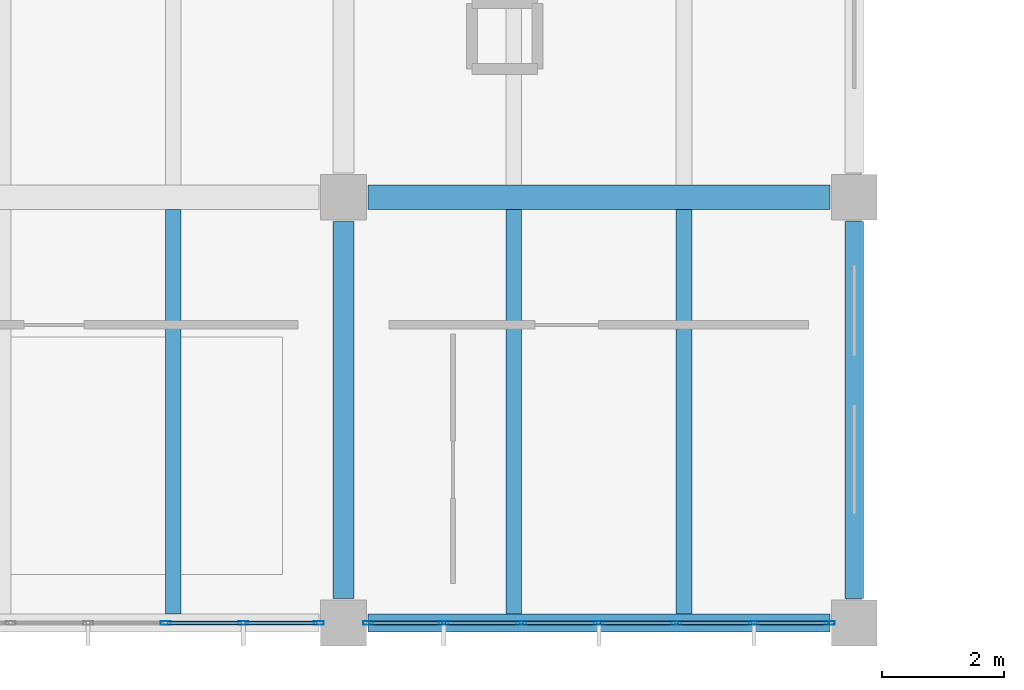
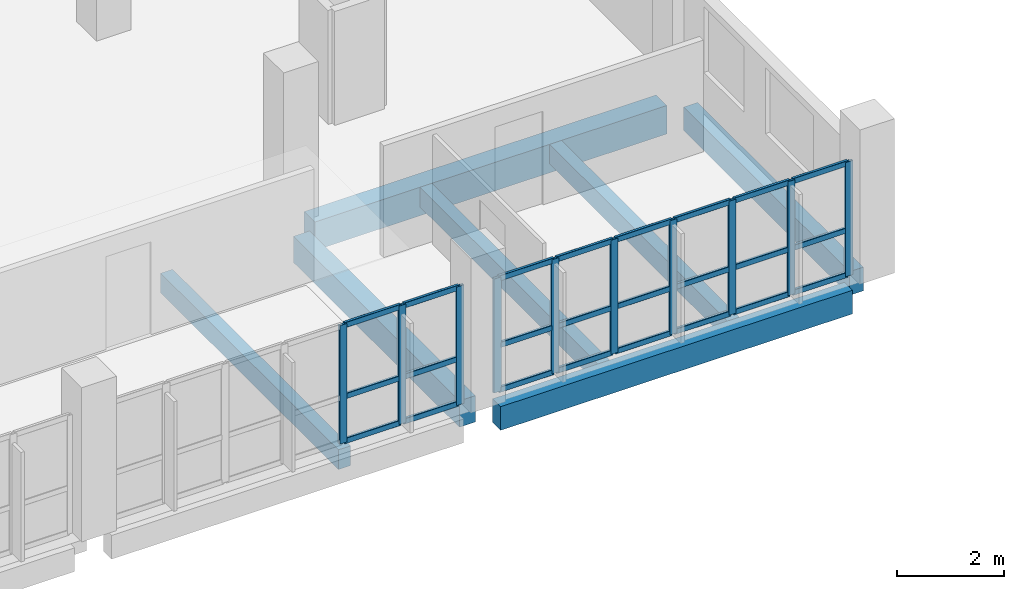
# One storey, part 18 of 95: 34 members, 7 beams, 2 elements without a shape of their own.
"""IFC4 building model written with IfcOpenShell, lengths in metres."""

from ifc_helpers import new_model, si_unit, direction, frame, origin, origin_2d, place, context, subcontext, project, spatial, rectangle, hollow_rectangle, extrude, material, layer, layer_set, material_profile, profile_set, type_object, element, aggregate, save


model = new_model("IFC4")

# Units and contexts
model_context = context("Model", 3, precision=1e-05, world=origin(), true_north=direction((0.0, 1.0)))
body_context = subcontext(model_context, "Body", "Model", "MODEL_VIEW")
ifc_project = project(units=[si_unit("LENGTHUNIT", "METRE"), si_unit("AREAUNIT", "SQUARE_METRE"), si_unit("VOLUMEUNIT", "CUBIC_METRE"), si_unit("PLANEANGLEUNIT", "RADIAN"), si_unit("MASSUNIT", "GRAM", prefix="KILO"), si_unit("THERMODYNAMICTEMPERATUREUNIT", "KELVIN"), si_unit("POWERUNIT", "WATT")], contexts=[model_context])

# Site, building, storey
site_placement = place(None, origin())
site = spatial("IfcSite", under=ifc_project, at=site_placement, CompositionType="ELEMENT")
building_placement = place(site_placement, origin())
building = spatial("IfcBuilding", under=site, at=building_placement, Name="Mavoryth Pier Ferry Terminal", CompositionType="ELEMENT")
storey_placement = place(building_placement, frame((0.0, 0.0, 9.60009765625)))
storey = spatial("IfcBuildingStorey", under=building, at=storey_placement, Name="L02", CompositionType="ELEMENT", Elevation=9.60009765625)

# Beams
ifc_material_1 = material(Name="Concrete C35/45", Category="concrete")
ifc_material_profile_1 = material_profile(ifc_material_1, rectangle(XDim=0.35009765625, YDim=0.60009765625, at=origin_2d()), Name="RC 350x600", Category="concrete")
ifc_profile_set_1 = profile_set([ifc_material_profile_1], Name="Concrete C35/45 - RC 350x600")
beam_type_1 = type_object("IfcBeamType", Name="Girder-RC-350x600", PredefinedType="BEAM", material=ifc_profile_set_1)
beam_1_placement = place(storey_placement, frame((84.0, 0.39990234375, -0.56005859375), z_axis=(0.0, 1.0, 0.0), x_axis=(-1.0, 0.0, 0.0)))
element("IfcBeam", 1, at=beam_1_placement, inside=storey, type_object=beam_type_1, Name="Beam B02-BG08-0990", PredefinedType="BEAM", context=body_context, shape_type="SweptSolid", body=[
    extrude(rectangle(XDim=0.35009765625, YDim=0.60009765625, at=origin_2d()), origin(), (0.0, 0.0, 1.0), 6.2001953125),
])
ifc_material_profile_2 = material_profile(ifc_material_1, rectangle(XDim=0.39990234375, YDim=0.64990234375, at=origin_2d()), Name="RC 400x650", Category="concrete")
ifc_profile_set_2 = profile_set([ifc_material_profile_2], Name="Concrete C35/45 - RC 400x650")
beam_type_2 = type_object("IfcBeamType", Name="Girder-RC-400x650", PredefinedType="BEAM", material=ifc_profile_set_2)
beam_2_placement = place(storey_placement, frame((84.39990234375, 7.0, -0.585205078125), z_axis=(1.0, 0.0, 0.0), x_axis=(0.0, 1.0, 0.0)))
element("IfcBeam", 2, at=beam_2_placement, inside=storey, type_object=beam_type_2, Name="Beam B02-BG05-0962", PredefinedType="BEAM", context=body_context, shape_type="SweptSolid", body=[
    extrude(rectangle(XDim=0.39990234375, YDim=0.64990234375, at=origin_2d()), origin(), (0.0, 0.0, 1.0), 7.60009765625),
])
ifc_material_profile_3 = material_profile(ifc_material_1, rectangle(XDim=0.260009765625, YDim=0.449951171875, at=origin_2d()), Name="RC 260x450", Category="concrete")
ifc_profile_set_3 = profile_set([ifc_material_profile_3], Name="Concrete C35/45 - RC 260x450")
beam_type_3 = type_object("IfcBeamType", Name="Joist-RC-260x450", PredefinedType="JOIST", material=ifc_profile_set_3)
for number, where, z_axis, x_axis, name in (
    (3, (81.199951171875, 0.14990234375, -0.485107421875), (0.0, 1.0, 0.0), (-1.0, 0.0, 0.0), "Beam B02-BJ03-1017"),
    (4, (86.800048828125, 0.14990234375, -0.485107421875), (0.0, 1.0, 0.0), (-1.0, 0.0, 0.0), "Beam B02-BJ03-1022"),
    (5, (89.60009765625, 0.14990234375, -0.485107421875), (0.0, 1.0, 0.0), (-1.0, 0.0, 0.0), "Beam B02-BJ03-1023"),
):
    element("IfcBeam", number, at=place(storey_placement, frame(where, z_axis=z_axis, x_axis=x_axis)), inside=storey, type_object=beam_type_3, Name=name, PredefinedType="JOIST", context=body_context, shape_type="SweptSolid", body=[
        extrude(rectangle(XDim=0.260009765625, YDim=0.449951171875, at=origin_2d()), origin(), (0.0, 0.0, 1.0), 6.650146484375),
    ])

# Curtain wall, members
ifc_material_2 = material(Name="Anodised Aluminium and Solar-Control Low-E Glass", Category="aluminium")
ifc_layer = layer(ifc_material_2, 0.239990234375, Name="Anodised Aluminium and Solar-Control Low-E Glass", Category="aluminium")
ifc_layer_set = layer_set([ifc_layer], Name="Anodised Aluminium and Solar-Control Low-E Glass - CW-Operations-Mod1200")
curtain_wall_type = type_object("IfcCurtainWallType", Name="CW-Operations-Mod1200", PredefinedType="USERDEFINED", material=ifc_layer_set)
curtain_wall_1_placement = place(storey_placement, origin())
curtain_wall_1 = element("IfcCurtainWall", 6, at=curtain_wall_1_placement, inside=storey, type_object=curtain_wall_type, Name="Curtain Wall CW-0222-129", ObjectType="UNITISED CURTAIN WALL", PredefinedType="USERDEFINED")
ifc_material_3 = material(Name="Anodised Aluminium EN AW-6063", Category="aluminium")
ifc_material_profile_4 = material_profile(ifc_material_3, hollow_rectangle(XDim=0.06005859375, YDim=0.1650390625, WallThickness=0.00390625, InnerFilletRadius=0.00390625, OuterFilletRadius=0.008056640625, at=origin_2d()), Name="AL-MULL 165x60x4", Category="aluminium")
ifc_profile_set_4 = profile_set([ifc_material_profile_4], Name="Anodised Aluminium EN AW-6063 - AL-MULL 165x60x4")
member_type_1 = type_object("IfcMemberType", Name="Mullion-Alum-165x60", PredefinedType="MULLION", material=ifc_profile_set_4)
member_1_placement = place(storey_placement, frame((81.074951171875, 0.0, 0.0), z_axis=(0.0, 0.0, 1.0), x_axis=(0.0, 1.0, 0.0)))
member_1 = element("IfcMember", 7, at=member_1_placement, type_object=member_type_1, Name="CW06 mullion 5", PredefinedType="MULLION", context=body_context, shape_type="SweptSolid", body=[
    extrude(hollow_rectangle(XDim=0.06005859375, YDim=0.1650390625, WallThickness=0.00390625, InnerFilletRadius=0.00390625, OuterFilletRadius=0.008056640625, at=origin_2d()), origin(), (0.0, 0.0, 1.0), 2.704833984375),
])
member_2_placement = place(storey_placement, frame((82.35009765625, 0.0, 0.0), z_axis=(0.0, 0.0, 1.0), x_axis=(0.0, 1.0, 0.0)))
member_2 = element("IfcMember", 8, at=member_2_placement, type_object=member_type_1, Name="CW06 mullion 6", PredefinedType="MULLION", context=body_context, shape_type="SweptSolid", body=[
    extrude(hollow_rectangle(XDim=0.06005859375, YDim=0.1650390625, WallThickness=0.00390625, InnerFilletRadius=0.00390625, OuterFilletRadius=0.008056640625, at=origin_2d()), origin(), (0.0, 0.0, 1.0), 2.704833984375),
])
member_3_placement = place(storey_placement, frame((83.594970703125, 0.0, 0.0), z_axis=(0.0, 0.0, 1.0), x_axis=(0.0, 1.0, 0.0)))
member_3 = element("IfcMember", 9, at=member_3_placement, type_object=member_type_1, Name="CW06 mullion 7", PredefinedType="MULLION", context=body_context, shape_type="SweptSolid", body=[
    extrude(hollow_rectangle(XDim=0.06005859375, YDim=0.1650390625, WallThickness=0.00390625, InnerFilletRadius=0.00390625, OuterFilletRadius=0.008056640625, at=origin_2d()), origin(), (0.0, 0.0, 1.0), 2.704833984375),
])

curtain_wall_2_placement = place(storey_placement, origin())
curtain_wall_2 = element("IfcCurtainWall", 10, at=curtain_wall_2_placement, inside=storey, type_object=curtain_wall_type, Name="Curtain Wall CW-0222-131", ObjectType="UNITISED CURTAIN WALL", PredefinedType="USERDEFINED")
member_4_placement = place(storey_placement, frame((84.405029296875, 0.0, 0.0), z_axis=(0.0, 0.0, 1.0), x_axis=(0.0, 1.0, 0.0)))
member_4 = element("IfcMember", 11, at=member_4_placement, type_object=member_type_1, Name="CW06 mullion 1", PredefinedType="MULLION", context=body_context, shape_type="SweptSolid", body=[
    extrude(hollow_rectangle(XDim=0.06005859375, YDim=0.1650390625, WallThickness=0.00390625, InnerFilletRadius=0.00390625, OuterFilletRadius=0.008056640625, at=origin_2d()), origin(), (0.0, 0.0, 1.0), 2.60498046875),
])
member_5_placement = place(storey_placement, frame((85.64990234375, 0.0, 0.0), z_axis=(0.0, 0.0, 1.0), x_axis=(0.0, 1.0, 0.0)))
member_5 = element("IfcMember", 12, at=member_5_placement, type_object=member_type_1, Name="CW06 mullion 2", PredefinedType="MULLION", context=body_context, shape_type="SweptSolid", body=[
    extrude(hollow_rectangle(XDim=0.06005859375, YDim=0.1650390625, WallThickness=0.00390625, InnerFilletRadius=0.00390625, OuterFilletRadius=0.008056640625, at=origin_2d()), origin(), (0.0, 0.0, 1.0), 2.60498046875),
])
member_6_placement = place(storey_placement, frame((86.925048828125, 0.0, 0.0), z_axis=(0.0, 0.0, 1.0), x_axis=(0.0, 1.0, 0.0)))
member_6 = element("IfcMember", 13, at=member_6_placement, type_object=member_type_1, Name="CW06 mullion 3", PredefinedType="MULLION", context=body_context, shape_type="SweptSolid", body=[
    extrude(hollow_rectangle(XDim=0.06005859375, YDim=0.1650390625, WallThickness=0.00390625, InnerFilletRadius=0.00390625, OuterFilletRadius=0.008056640625, at=origin_2d()), origin(), (0.0, 0.0, 1.0), 2.60498046875),
])
member_7_placement = place(storey_placement, frame((88.199951171875, 0.0, 0.0), z_axis=(0.0, 0.0, 1.0), x_axis=(0.0, 1.0, 0.0)))
member_7 = element("IfcMember", 14, at=member_7_placement, type_object=member_type_1, Name="CW06 mullion 4", PredefinedType="MULLION", context=body_context, shape_type="SweptSolid", body=[
    extrude(hollow_rectangle(XDim=0.06005859375, YDim=0.1650390625, WallThickness=0.00390625, InnerFilletRadius=0.00390625, OuterFilletRadius=0.008056640625, at=origin_2d()), origin(), (0.0, 0.0, 1.0), 2.60498046875),
])
member_8_placement = place(storey_placement, frame((89.47509765625, 0.0, 0.0), z_axis=(0.0, 0.0, 1.0), x_axis=(0.0, 1.0, 0.0)))
member_8 = element("IfcMember", 15, at=member_8_placement, type_object=member_type_1, Name="CW06 mullion 5", PredefinedType="MULLION", context=body_context, shape_type="SweptSolid", body=[
    extrude(hollow_rectangle(XDim=0.06005859375, YDim=0.1650390625, WallThickness=0.00390625, InnerFilletRadius=0.00390625, OuterFilletRadius=0.008056640625, at=origin_2d()), origin(), (0.0, 0.0, 1.0), 2.60498046875),
])
member_9_placement = place(storey_placement, frame((90.75, 0.0, 0.0), z_axis=(0.0, 0.0, 1.0), x_axis=(0.0, 1.0, 0.0)))
member_9 = element("IfcMember", 16, at=member_9_placement, type_object=member_type_1, Name="CW06 mullion 6", PredefinedType="MULLION", context=body_context, shape_type="SweptSolid", body=[
    extrude(hollow_rectangle(XDim=0.06005859375, YDim=0.1650390625, WallThickness=0.00390625, InnerFilletRadius=0.00390625, OuterFilletRadius=0.008056640625, at=origin_2d()), origin(), (0.0, 0.0, 1.0), 2.60498046875),
])
member_10_placement = place(storey_placement, frame((91.9951171875, 0.0, 0.0), z_axis=(0.0, 0.0, 1.0), x_axis=(0.0, 1.0, 0.0)))
member_10 = element("IfcMember", 17, at=member_10_placement, type_object=member_type_1, Name="CW06 mullion 7", PredefinedType="MULLION", context=body_context, shape_type="SweptSolid", body=[
    extrude(hollow_rectangle(XDim=0.06005859375, YDim=0.1650390625, WallThickness=0.00390625, InnerFilletRadius=0.00390625, OuterFilletRadius=0.008056640625, at=origin_2d()), origin(), (0.0, 0.0, 1.0), 2.60498046875),
])

# Beams
ifc_material_profile_5 = material_profile(ifc_material_1, rectangle(XDim=0.300048828125, YDim=0.5400390625, at=origin_2d()), Name="RC 300x540", Category="concrete")
ifc_profile_set_5 = profile_set([ifc_material_profile_5], Name="Concrete C35/45 - RC 300x540")
beam_type_4 = type_object("IfcBeamType", Name="Spandrel-RC-300x540", PredefinedType="SPANDREL", material=ifc_profile_set_5)
beam_3_placement = place(storey_placement, frame((84.39990234375, 0.0, -0.530029296875), z_axis=(1.0, 0.0, 0.0), x_axis=(0.0, 1.0, 0.0)))
element("IfcBeam", 18, at=beam_3_placement, inside=storey, type_object=beam_type_4, Name="Beam B02-SP02-0956", PredefinedType="SPANDREL", context=body_context, shape_type="SweptSolid", body=[
    extrude(rectangle(XDim=0.300048828125, YDim=0.5400390625, at=origin_2d()), origin(), (0.0, 0.0, 1.0), 7.60009765625),
])
beam_4_placement = place(storey_placement, frame((92.39990234375, 0.39990234375, -0.530029296875), z_axis=(0.0, 1.0, 0.0), x_axis=(-1.0, 0.0, 0.0)))
element("IfcBeam", 19, at=beam_4_placement, inside=storey, type_object=beam_type_4, Name="Beam B02-SP02-0993", PredefinedType="SPANDREL", context=body_context, shape_type="SweptSolid", body=[
    extrude(rectangle(XDim=0.300048828125, YDim=0.5400390625, at=origin_2d()), origin(), (0.0, 0.0, 1.0), 6.2001953125),
])

# Member
ifc_material_profile_6 = material_profile(ifc_material_3, hollow_rectangle(XDim=0.06005859375, YDim=0.125, WallThickness=0.00390625, InnerFilletRadius=0.00390625, OuterFilletRadius=0.008056640625, at=origin_2d()), Name="AL-TRAN 125x60x4", Category="aluminium")
ifc_profile_set_6 = profile_set([ifc_material_profile_6], Name="Anodised Aluminium EN AW-6063 - AL-TRAN 125x60x4")
member_type_2 = type_object("IfcMemberType", Name="Transom-Alum-125x60", PredefinedType="USERDEFINED", material=ifc_profile_set_6)
member_11_placement = place(storey_placement, frame((81.10498046875, 0.0, 0.02978515625), z_axis=(1.0, 0.0, 0.0), x_axis=(0.0, 1.0, 0.0)))
member_11 = element("IfcMember", 20, at=member_11_placement, type_object=member_type_2, Name="CW06 transom 5.1", ObjectType="TRANSOM", PredefinedType="USERDEFINED", context=body_context, shape_type="SweptSolid", body=[
    extrude(hollow_rectangle(XDim=0.06005859375, YDim=0.125, WallThickness=0.00390625, InnerFilletRadius=0.00390625, OuterFilletRadius=0.008056640625, at=origin_2d()), origin(), (0.0, 0.0, 1.0), 1.215087890625),
])

member_12_placement = place(storey_placement, frame((81.10498046875, 0.0, 1.0498046875), z_axis=(1.0, 0.0, 0.0), x_axis=(0.0, 1.0, 0.0)))
member_12 = element("IfcMember", 21, at=member_12_placement, type_object=member_type_2, Name="CW06 transom 5.2", ObjectType="TRANSOM", PredefinedType="USERDEFINED", context=body_context, shape_type="SweptSolid", body=[
    extrude(hollow_rectangle(XDim=0.06005859375, YDim=0.125, WallThickness=0.00390625, InnerFilletRadius=0.00390625, OuterFilletRadius=0.008056640625, at=origin_2d()), origin(), (0.0, 0.0, 1.0), 1.215087890625),
])

member_13_placement = place(storey_placement, frame((81.10498046875, 0.0, 2.6748046875), z_axis=(1.0, 0.0, 0.0), x_axis=(0.0, 1.0, 0.0)))
member_13 = element("IfcMember", 22, at=member_13_placement, type_object=member_type_2, Name="CW06 transom 5.3", ObjectType="TRANSOM", PredefinedType="USERDEFINED", context=body_context, shape_type="SweptSolid", body=[
    extrude(hollow_rectangle(XDim=0.06005859375, YDim=0.125, WallThickness=0.00390625, InnerFilletRadius=0.00390625, OuterFilletRadius=0.008056640625, at=origin_2d()), origin(), (0.0, 0.0, 1.0), 1.215087890625),
])

member_14_placement = place(storey_placement, frame((82.3798828125, 0.0, 0.02978515625), z_axis=(1.0, 0.0, 0.0), x_axis=(0.0, 1.0, 0.0)))
member_14 = element("IfcMember", 23, at=member_14_placement, type_object=member_type_2, Name="CW06 transom 6.1", ObjectType="TRANSOM", PredefinedType="USERDEFINED", context=body_context, shape_type="SweptSolid", body=[
    extrude(hollow_rectangle(XDim=0.06005859375, YDim=0.125, WallThickness=0.00390625, InnerFilletRadius=0.00390625, OuterFilletRadius=0.008056640625, at=origin_2d()), origin(), (0.0, 0.0, 1.0), 1.18505859375),
])

member_15_placement = place(storey_placement, frame((82.3798828125, 0.0, 1.0498046875), z_axis=(1.0, 0.0, 0.0), x_axis=(0.0, 1.0, 0.0)))
member_15 = element("IfcMember", 24, at=member_15_placement, type_object=member_type_2, Name="CW06 transom 6.2", ObjectType="TRANSOM", PredefinedType="USERDEFINED", context=body_context, shape_type="SweptSolid", body=[
    extrude(hollow_rectangle(XDim=0.06005859375, YDim=0.125, WallThickness=0.00390625, InnerFilletRadius=0.00390625, OuterFilletRadius=0.008056640625, at=origin_2d()), origin(), (0.0, 0.0, 1.0), 1.18505859375),
])

member_16_placement = place(storey_placement, frame((82.3798828125, 0.0, 2.6748046875), z_axis=(1.0, 0.0, 0.0), x_axis=(0.0, 1.0, 0.0)))
member_16 = element("IfcMember", 25, at=member_16_placement, type_object=member_type_2, Name="CW06 transom 6.3", ObjectType="TRANSOM", PredefinedType="USERDEFINED", context=body_context, shape_type="SweptSolid", body=[
    extrude(hollow_rectangle(XDim=0.06005859375, YDim=0.125, WallThickness=0.00390625, InnerFilletRadius=0.00390625, OuterFilletRadius=0.008056640625, at=origin_2d()), origin(), (0.0, 0.0, 1.0), 1.18505859375),
])

aggregate(curtain_wall_1, [member_1, member_2, member_3, member_11, member_12, member_13, member_14, member_15, member_16])

member_17_placement = place(storey_placement, frame((84.43505859375, 0.0, 0.02978515625), z_axis=(1.0, 0.0, 0.0), x_axis=(0.0, 1.0, 0.0)))
member_17 = element("IfcMember", 26, at=member_17_placement, type_object=member_type_2, Name="CW06 transom 1.1", ObjectType="TRANSOM", PredefinedType="USERDEFINED", context=body_context, shape_type="SweptSolid", body=[
    extrude(hollow_rectangle(XDim=0.06005859375, YDim=0.125, WallThickness=0.00390625, InnerFilletRadius=0.00390625, OuterFilletRadius=0.008056640625, at=origin_2d()), origin(), (0.0, 0.0, 1.0), 1.18505859375),
])

member_18_placement = place(storey_placement, frame((84.43505859375, 0.0, 1.0498046875), z_axis=(1.0, 0.0, 0.0), x_axis=(0.0, 1.0, 0.0)))
member_18 = element("IfcMember", 27, at=member_18_placement, type_object=member_type_2, Name="CW06 transom 1.2", ObjectType="TRANSOM", PredefinedType="USERDEFINED", context=body_context, shape_type="SweptSolid", body=[
    extrude(hollow_rectangle(XDim=0.06005859375, YDim=0.125, WallThickness=0.00390625, InnerFilletRadius=0.00390625, OuterFilletRadius=0.008056640625, at=origin_2d()), origin(), (0.0, 0.0, 1.0), 1.18505859375),
])

member_19_placement = place(storey_placement, frame((84.43505859375, 0.0, 2.574951171875), z_axis=(1.0, 0.0, 0.0), x_axis=(0.0, 1.0, 0.0)))
member_19 = element("IfcMember", 28, at=member_19_placement, type_object=member_type_2, Name="CW06 transom 1.3", ObjectType="TRANSOM", PredefinedType="USERDEFINED", context=body_context, shape_type="SweptSolid", body=[
    extrude(hollow_rectangle(XDim=0.06005859375, YDim=0.125, WallThickness=0.00390625, InnerFilletRadius=0.00390625, OuterFilletRadius=0.008056640625, at=origin_2d()), origin(), (0.0, 0.0, 1.0), 1.18505859375),
])

member_20_placement = place(storey_placement, frame((85.679931640625, 0.0, 0.02978515625), z_axis=(1.0, 0.0, 0.0), x_axis=(0.0, 1.0, 0.0)))
member_20 = element("IfcMember", 29, at=member_20_placement, type_object=member_type_2, Name="CW06 transom 2.1", ObjectType="TRANSOM", PredefinedType="USERDEFINED", context=body_context, shape_type="SweptSolid", body=[
    extrude(hollow_rectangle(XDim=0.06005859375, YDim=0.125, WallThickness=0.00390625, InnerFilletRadius=0.00390625, OuterFilletRadius=0.008056640625, at=origin_2d()), origin(), (0.0, 0.0, 1.0), 1.215087890625),
])

member_21_placement = place(storey_placement, frame((85.679931640625, 0.0, 1.0498046875), z_axis=(1.0, 0.0, 0.0), x_axis=(0.0, 1.0, 0.0)))
member_21 = element("IfcMember", 30, at=member_21_placement, type_object=member_type_2, Name="CW06 transom 2.2", ObjectType="TRANSOM", PredefinedType="USERDEFINED", context=body_context, shape_type="SweptSolid", body=[
    extrude(hollow_rectangle(XDim=0.06005859375, YDim=0.125, WallThickness=0.00390625, InnerFilletRadius=0.00390625, OuterFilletRadius=0.008056640625, at=origin_2d()), origin(), (0.0, 0.0, 1.0), 1.215087890625),
])

member_22_placement = place(storey_placement, frame((85.679931640625, 0.0, 2.574951171875), z_axis=(1.0, 0.0, 0.0), x_axis=(0.0, 1.0, 0.0)))
member_22 = element("IfcMember", 31, at=member_22_placement, type_object=member_type_2, Name="CW06 transom 2.3", ObjectType="TRANSOM", PredefinedType="USERDEFINED", context=body_context, shape_type="SweptSolid", body=[
    extrude(hollow_rectangle(XDim=0.06005859375, YDim=0.125, WallThickness=0.00390625, InnerFilletRadius=0.00390625, OuterFilletRadius=0.008056640625, at=origin_2d()), origin(), (0.0, 0.0, 1.0), 1.215087890625),
])

member_23_placement = place(storey_placement, frame((86.955078125, 0.0, 0.02978515625), z_axis=(1.0, 0.0, 0.0), x_axis=(0.0, 1.0, 0.0)))
member_23 = element("IfcMember", 32, at=member_23_placement, type_object=member_type_2, Name="CW06 transom 3.1", ObjectType="TRANSOM", PredefinedType="USERDEFINED", context=body_context, shape_type="SweptSolid", body=[
    extrude(hollow_rectangle(XDim=0.06005859375, YDim=0.125, WallThickness=0.00390625, InnerFilletRadius=0.00390625, OuterFilletRadius=0.008056640625, at=origin_2d()), origin(), (0.0, 0.0, 1.0), 1.21484375),
])

member_24_placement = place(storey_placement, frame((86.955078125, 0.0, 1.0498046875), z_axis=(1.0, 0.0, 0.0), x_axis=(0.0, 1.0, 0.0)))
member_24 = element("IfcMember", 33, at=member_24_placement, type_object=member_type_2, Name="CW06 transom 3.2", ObjectType="TRANSOM", PredefinedType="USERDEFINED", context=body_context, shape_type="SweptSolid", body=[
    extrude(hollow_rectangle(XDim=0.06005859375, YDim=0.125, WallThickness=0.00390625, InnerFilletRadius=0.00390625, OuterFilletRadius=0.008056640625, at=origin_2d()), origin(), (0.0, 0.0, 1.0), 1.21484375),
])

member_25_placement = place(storey_placement, frame((86.955078125, 0.0, 2.574951171875), z_axis=(1.0, 0.0, 0.0), x_axis=(0.0, 1.0, 0.0)))
member_25 = element("IfcMember", 34, at=member_25_placement, type_object=member_type_2, Name="CW06 transom 3.3", ObjectType="TRANSOM", PredefinedType="USERDEFINED", context=body_context, shape_type="SweptSolid", body=[
    extrude(hollow_rectangle(XDim=0.06005859375, YDim=0.125, WallThickness=0.00390625, InnerFilletRadius=0.00390625, OuterFilletRadius=0.008056640625, at=origin_2d()), origin(), (0.0, 0.0, 1.0), 1.21484375),
])

member_26_placement = place(storey_placement, frame((88.22998046875, 0.0, 0.02978515625), z_axis=(1.0, 0.0, 0.0), x_axis=(0.0, 1.0, 0.0)))
member_26 = element("IfcMember", 35, at=member_26_placement, type_object=member_type_2, Name="CW06 transom 4.1", ObjectType="TRANSOM", PredefinedType="USERDEFINED", context=body_context, shape_type="SweptSolid", body=[
    extrude(hollow_rectangle(XDim=0.06005859375, YDim=0.125, WallThickness=0.00390625, InnerFilletRadius=0.00390625, OuterFilletRadius=0.008056640625, at=origin_2d()), origin(), (0.0, 0.0, 1.0), 1.215087890625),
])

member_27_placement = place(storey_placement, frame((88.22998046875, 0.0, 1.0498046875), z_axis=(1.0, 0.0, 0.0), x_axis=(0.0, 1.0, 0.0)))
member_27 = element("IfcMember", 36, at=member_27_placement, type_object=member_type_2, Name="CW06 transom 4.2", ObjectType="TRANSOM", PredefinedType="USERDEFINED", context=body_context, shape_type="SweptSolid", body=[
    extrude(hollow_rectangle(XDim=0.06005859375, YDim=0.125, WallThickness=0.00390625, InnerFilletRadius=0.00390625, OuterFilletRadius=0.008056640625, at=origin_2d()), origin(), (0.0, 0.0, 1.0), 1.215087890625),
])

member_28_placement = place(storey_placement, frame((88.22998046875, 0.0, 2.574951171875), z_axis=(1.0, 0.0, 0.0), x_axis=(0.0, 1.0, 0.0)))
member_28 = element("IfcMember", 37, at=member_28_placement, type_object=member_type_2, Name="CW06 transom 4.3", ObjectType="TRANSOM", PredefinedType="USERDEFINED", context=body_context, shape_type="SweptSolid", body=[
    extrude(hollow_rectangle(XDim=0.06005859375, YDim=0.125, WallThickness=0.00390625, InnerFilletRadius=0.00390625, OuterFilletRadius=0.008056640625, at=origin_2d()), origin(), (0.0, 0.0, 1.0), 1.215087890625),
])

member_29_placement = place(storey_placement, frame((89.5048828125, 0.0, 0.02978515625), z_axis=(1.0, 0.0, 0.0), x_axis=(0.0, 1.0, 0.0)))
member_29 = element("IfcMember", 38, at=member_29_placement, type_object=member_type_2, Name="CW06 transom 5.1", ObjectType="TRANSOM", PredefinedType="USERDEFINED", context=body_context, shape_type="SweptSolid", body=[
    extrude(hollow_rectangle(XDim=0.06005859375, YDim=0.125, WallThickness=0.00390625, InnerFilletRadius=0.00390625, OuterFilletRadius=0.008056640625, at=origin_2d()), origin(), (0.0, 0.0, 1.0), 1.215087890625),
])

member_30_placement = place(storey_placement, frame((89.5048828125, 0.0, 1.0498046875), z_axis=(1.0, 0.0, 0.0), x_axis=(0.0, 1.0, 0.0)))
member_30 = element("IfcMember", 39, at=member_30_placement, type_object=member_type_2, Name="CW06 transom 5.2", ObjectType="TRANSOM", PredefinedType="USERDEFINED", context=body_context, shape_type="SweptSolid", body=[
    extrude(hollow_rectangle(XDim=0.06005859375, YDim=0.125, WallThickness=0.00390625, InnerFilletRadius=0.00390625, OuterFilletRadius=0.008056640625, at=origin_2d()), origin(), (0.0, 0.0, 1.0), 1.215087890625),
])

member_31_placement = place(storey_placement, frame((89.5048828125, 0.0, 2.574951171875), z_axis=(1.0, 0.0, 0.0), x_axis=(0.0, 1.0, 0.0)))
member_31 = element("IfcMember", 40, at=member_31_placement, type_object=member_type_2, Name="CW06 transom 5.3", ObjectType="TRANSOM", PredefinedType="USERDEFINED", context=body_context, shape_type="SweptSolid", body=[
    extrude(hollow_rectangle(XDim=0.06005859375, YDim=0.125, WallThickness=0.00390625, InnerFilletRadius=0.00390625, OuterFilletRadius=0.008056640625, at=origin_2d()), origin(), (0.0, 0.0, 1.0), 1.215087890625),
])

member_32_placement = place(storey_placement, frame((90.780029296875, 0.0, 0.02978515625), z_axis=(1.0, 0.0, 0.0), x_axis=(0.0, 1.0, 0.0)))
member_32 = element("IfcMember", 41, at=member_32_placement, type_object=member_type_2, Name="CW06 transom 6.1", ObjectType="TRANSOM", PredefinedType="USERDEFINED", context=body_context, shape_type="SweptSolid", body=[
    extrude(hollow_rectangle(XDim=0.06005859375, YDim=0.125, WallThickness=0.00390625, InnerFilletRadius=0.00390625, OuterFilletRadius=0.008056640625, at=origin_2d()), origin(), (0.0, 0.0, 1.0), 1.18505859375),
])

member_33_placement = place(storey_placement, frame((90.780029296875, 0.0, 1.0498046875), z_axis=(1.0, 0.0, 0.0), x_axis=(0.0, 1.0, 0.0)))
member_33 = element("IfcMember", 42, at=member_33_placement, type_object=member_type_2, Name="CW06 transom 6.2", ObjectType="TRANSOM", PredefinedType="USERDEFINED", context=body_context, shape_type="SweptSolid", body=[
    extrude(hollow_rectangle(XDim=0.06005859375, YDim=0.125, WallThickness=0.00390625, InnerFilletRadius=0.00390625, OuterFilletRadius=0.008056640625, at=origin_2d()), origin(), (0.0, 0.0, 1.0), 1.18505859375),
])

member_34_placement = place(storey_placement, frame((90.780029296875, 0.0, 2.574951171875), z_axis=(1.0, 0.0, 0.0), x_axis=(0.0, 1.0, 0.0)))
member_34 = element("IfcMember", 43, at=member_34_placement, type_object=member_type_2, Name="CW06 transom 6.3", ObjectType="TRANSOM", PredefinedType="USERDEFINED", context=body_context, shape_type="SweptSolid", body=[
    extrude(hollow_rectangle(XDim=0.06005859375, YDim=0.125, WallThickness=0.00390625, InnerFilletRadius=0.00390625, OuterFilletRadius=0.008056640625, at=origin_2d()), origin(), (0.0, 0.0, 1.0), 1.18505859375),
])

aggregate(curtain_wall_2, [member_4, member_5, member_6, member_7, member_8, member_9, member_10, member_17, member_18, member_19, member_20, member_21, member_22, member_23, member_24, member_25, member_26, member_27, member_28, member_29, member_30, member_31, member_32, member_33, member_34])

save(model, "model.ifc")
